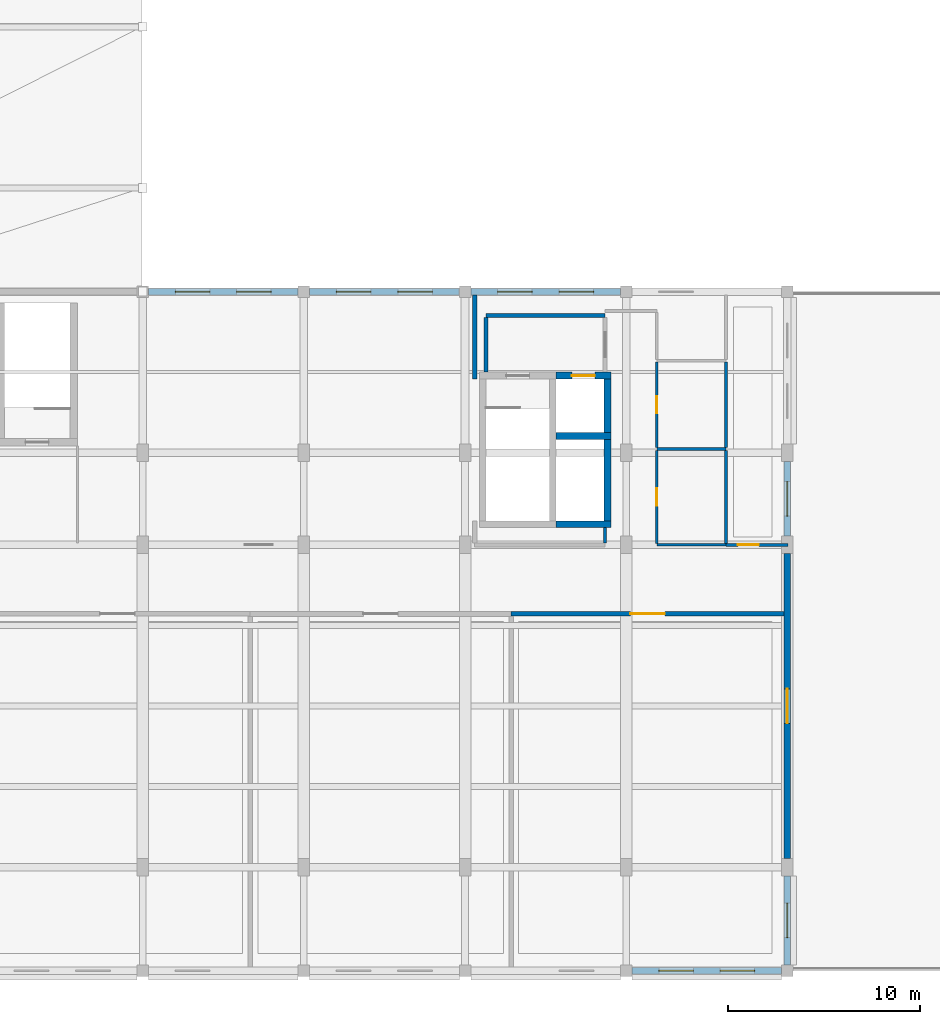
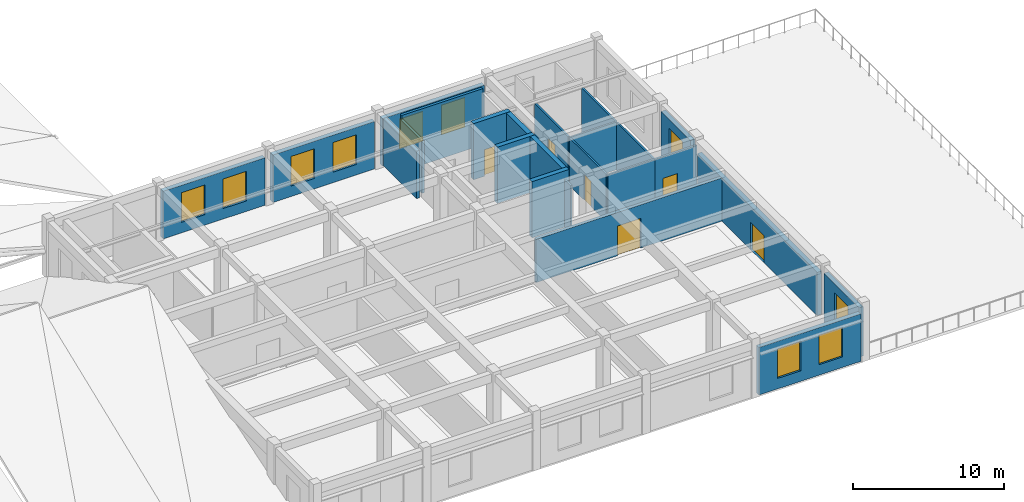
# One storey, part 69 of 76: 24 walls, 10 windows, 6 doors, 16 openings.
"""IFC4 building model written with IfcOpenShell, lengths in metres."""

from ifc_helpers import new_model, si_unit, direction, frame, frame_2d, origin, place, context, subcontext, project, spatial, rectangle, extrude, material, layer, layer_set, type_object, element, fill, save


model = new_model("IFC4")

# Units and contexts
model_context = context("Model", 3, precision=1e-05, world=origin(), true_north=direction((0.0, 1.0)))
body_context = subcontext(model_context, "Body", "Model", "MODEL_VIEW")
ifc_project = project(units=[si_unit("LENGTHUNIT", "METRE"), si_unit("AREAUNIT", "SQUARE_METRE"), si_unit("VOLUMEUNIT", "CUBIC_METRE"), si_unit("PLANEANGLEUNIT", "RADIAN"), si_unit("MASSUNIT", "GRAM", prefix="KILO")], contexts=[model_context])

# Site, building, storey
site_placement = place(None, origin())
site = spatial("IfcSite", under=ifc_project, at=site_placement, CompositionType="ELEMENT")
building_placement = place(site_placement, origin())
building = spatial("IfcBuilding", under=site, at=building_placement, Name="Krzemoval Escarpment Law Courts", CompositionType="ELEMENT")
storey_placement = place(building_placement, frame((0.0, 0.0, 20.39990234375)))
storey = spatial("IfcBuildingStorey", under=building, at=storey_placement, Name="L04", CompositionType="ELEMENT", Elevation=20.39990234375)

# Wall, openings, windows
ifc_material_1 = material(Name="Precast concrete C40/50", Category="concrete")
ifc_layer_1 = layer(ifc_material_1, 0.340087890625)
ifc_layer_set_1 = layer_set([ifc_layer_1], Name="Precast concrete C40/50")
wall_type_1 = type_object("IfcWallType", Name="WL-EXT-340", PredefinedType="SOLIDWALL", material=ifc_layer_set_1)
wall_1_placement = place(storey_placement, frame((42.300048828125, 35.39990234375, 0.0), z_axis=(0.0, 0.0, 1.0), x_axis=(1.0, 0.0, 0.0)))
wall_1 = element("IfcWall", 1, at=wall_1_placement, inside=storey, type_object=wall_type_1, Name="Exterior Wall EW-L04-0400", PredefinedType="SOLIDWALL", context=body_context, shape_type="SweptSolid", body=[
    extrude(rectangle(XDim=7.800048828125, YDim=0.340087890625, at=frame_2d((3.89990234375, 0.0))), origin(), (0.0, 0.0, 1.0), 3.85009765625),
])
opening_1_placement = place(wall_1_placement, frame((1.39990234375, 0.0, 0.85009765625)))
opening_1 = element("IfcOpeningElement", 2, at=opening_1_placement, cuts=wall_1, Name="Opening WN-L04-0473", PredefinedType="OPENING", context=body_context, shape_type="SweptSolid", body=[
    extrude(rectangle(XDim=1.800048828125, YDim=2.39990234375, at=frame_2d((0.89990234375, 1.199951171875))), frame((0.0, 0.18504, 0.0), z_axis=(0.0, -1.0, 0.0), x_axis=(1.0, 0.0, 0.0)), (0.0, 0.0, 1.0), 0.37009),
])
opening_2_placement = place(wall_1_placement, frame((4.60009765625, 0.0, 0.85009765625)))
opening_2 = element("IfcOpeningElement", 3, at=opening_2_placement, cuts=wall_1, Name="Opening WN-L04-0474", PredefinedType="OPENING", context=body_context, shape_type="SweptSolid", body=[
    extrude(rectangle(XDim=1.800048828125, YDim=2.39990234375, at=frame_2d((0.89990234375, 1.199951171875))), frame((0.0, 0.18504, 0.0), z_axis=(0.0, -1.0, 0.0), x_axis=(1.0, 0.0, 0.0)), (0.0, 0.0, 1.0), 0.37009),
])
ifc_material_2 = material(Name="Thermally Broken Aluminium Frame with Triple Low-E Acoustic Glass", Category="aluminium")
window_type = type_object("IfcWindowType", Name="WN-1800x2400", PartitioningType="SINGLE_PANEL", PredefinedType="WINDOW", material=ifc_material_2)
window_1_placement = place(opening_1_placement, origin())
window_1 = element("IfcWindow", 4, at=window_1_placement, inside=storey, type_object=window_type, Name="Facade Window WN-L04-0473", OverallHeight=2.39990234375, OverallWidth=1.800048828125, PartitioningType="SINGLE_PANEL", PredefinedType="WINDOW", context=body_context, shape_type="SweptSolid", body=[
    extrude(rectangle(XDim=1.800048828125, YDim=2.39990234375, at=frame_2d((0.89990234375, 1.199951171875))), frame((0.0, 0.030029296875, 0.0), z_axis=(0.0, -1.0, 0.0), x_axis=(1.0, 0.0, 0.0)), (0.0, 0.0, 1.0), 0.06005859375),
])
fill(opening_1, window_1)
window_2_placement = place(opening_2_placement, origin())
window_2 = element("IfcWindow", 5, at=window_2_placement, inside=storey, type_object=window_type, Name="Facade Window WN-L04-0474", OverallHeight=2.39990234375, OverallWidth=1.800048828125, PartitioningType="SINGLE_PANEL", PredefinedType="WINDOW", context=body_context, shape_type="SweptSolid", body=[
    extrude(rectangle(XDim=1.800048828125, YDim=2.39990234375, at=frame_2d((0.89990234375, 1.199951171875))), frame((0.0, 0.030029296875, 0.0), z_axis=(0.0, -1.0, 0.0), x_axis=(1.0, 0.0, 0.0)), (0.0, 0.0, 1.0), 0.06005859375),
])
fill(opening_2, window_2)

wall_2_placement = place(storey_placement, frame((50.699951171875, 35.39990234375, 0.0), z_axis=(0.0, 0.0, 1.0), x_axis=(1.0, 0.0, 0.0)))
wall_2 = element("IfcWall", 6, at=wall_2_placement, inside=storey, type_object=wall_type_1, Name="Exterior Wall EW-L04-0401", PredefinedType="SOLIDWALL", context=body_context, shape_type="SweptSolid", body=[
    extrude(rectangle(XDim=7.800048828125, YDim=0.340087890625, at=frame_2d((3.89990234375, 0.0))), origin(), (0.0, 0.0, 1.0), 3.85009765625),
])
opening_3_placement = place(wall_2_placement, frame((1.39990234375, 0.0, 0.85009765625)))
opening_3 = element("IfcOpeningElement", 7, at=opening_3_placement, cuts=wall_2, Name="Opening WN-L04-0475", PredefinedType="OPENING", context=body_context, shape_type="SweptSolid", body=[
    extrude(rectangle(XDim=1.800048828125, YDim=2.39990234375, at=frame_2d((0.89990234375, 1.199951171875))), frame((0.0, 0.18504, 0.0), z_axis=(0.0, -1.0, 0.0), x_axis=(1.0, 0.0, 0.0)), (0.0, 0.0, 1.0), 0.37009),
])
opening_4_placement = place(wall_2_placement, frame((4.60009765625, 0.0, 0.85009765625)))
opening_4 = element("IfcOpeningElement", 8, at=opening_4_placement, cuts=wall_2, Name="Opening WN-L04-0476", PredefinedType="OPENING", context=body_context, shape_type="SweptSolid", body=[
    extrude(rectangle(XDim=1.800048828125, YDim=2.39990234375, at=frame_2d((0.89990234375, 1.199951171875))), frame((0.0, 0.18504, 0.0), z_axis=(0.0, -1.0, 0.0), x_axis=(1.0, 0.0, 0.0)), (0.0, 0.0, 1.0), 0.37009),
])
window_3_placement = place(opening_3_placement, origin())
window_3 = element("IfcWindow", 9, at=window_3_placement, inside=storey, type_object=window_type, Name="Facade Window WN-L04-0475", OverallHeight=2.39990234375, OverallWidth=1.800048828125, PartitioningType="SINGLE_PANEL", PredefinedType="WINDOW", context=body_context, shape_type="SweptSolid", body=[
    extrude(rectangle(XDim=1.800048828125, YDim=2.39990234375, at=frame_2d((0.89990234375, 1.199951171875))), frame((0.0, 0.030029296875, 0.0), z_axis=(0.0, -1.0, 0.0), x_axis=(1.0, 0.0, 0.0)), (0.0, 0.0, 1.0), 0.06005859375),
])
fill(opening_3, window_3)
window_4_placement = place(opening_4_placement, origin())
window_4 = element("IfcWindow", 10, at=window_4_placement, inside=storey, type_object=window_type, Name="Facade Window WN-L04-0476", OverallHeight=2.39990234375, OverallWidth=1.800048828125, PartitioningType="SINGLE_PANEL", PredefinedType="WINDOW", context=body_context, shape_type="SweptSolid", body=[
    extrude(rectangle(XDim=1.800048828125, YDim=2.39990234375, at=frame_2d((0.89990234375, 1.199951171875))), frame((0.0, 0.030029296875, 0.0), z_axis=(0.0, -1.0, 0.0), x_axis=(1.0, 0.0, 0.0)), (0.0, 0.0, 1.0), 0.06005859375),
])
fill(opening_4, window_4)

wall_3_placement = place(storey_placement, frame((59.10009765625, 35.39990234375, 0.0), z_axis=(0.0, 0.0, 1.0), x_axis=(1.0, 0.0, 0.0)))
wall_3 = element("IfcWall", 11, at=wall_3_placement, inside=storey, type_object=wall_type_1, Name="Exterior Wall EW-L04-0402", PredefinedType="SOLIDWALL", context=body_context, shape_type="SweptSolid", body=[
    extrude(rectangle(XDim=7.7998046875, YDim=0.340087890625, at=frame_2d((3.89990234375, 0.0))), origin(), (0.0, 0.0, 1.0), 3.85009765625),
])
opening_5_placement = place(wall_3_placement, frame((1.39990234375, 0.0, 0.85009765625)))
opening_5 = element("IfcOpeningElement", 12, at=opening_5_placement, cuts=wall_3, Name="Opening WN-L04-0477", PredefinedType="OPENING", context=body_context, shape_type="SweptSolid", body=[
    extrude(rectangle(XDim=1.800048828125, YDim=2.39990234375, at=frame_2d((0.89990234375, 1.199951171875))), frame((0.0, 0.18504, 0.0), z_axis=(0.0, -1.0, 0.0), x_axis=(1.0, 0.0, 0.0)), (0.0, 0.0, 1.0), 0.37009),
])
opening_6_placement = place(wall_3_placement, frame((4.60009765625, 0.0, 0.85009765625)))
opening_6 = element("IfcOpeningElement", 13, at=opening_6_placement, cuts=wall_3, Name="Opening WN-L04-0478", PredefinedType="OPENING", context=body_context, shape_type="SweptSolid", body=[
    extrude(rectangle(XDim=1.800048828125, YDim=2.39990234375, at=frame_2d((0.89990234375, 1.199951171875))), frame((0.0, 0.18504, 0.0), z_axis=(0.0, -1.0, 0.0), x_axis=(1.0, 0.0, 0.0)), (0.0, 0.0, 1.0), 0.37009),
])
window_5_placement = place(opening_5_placement, origin())
window_5 = element("IfcWindow", 14, at=window_5_placement, inside=storey, type_object=window_type, Name="Facade Window WN-L04-0477", OverallHeight=2.39990234375, OverallWidth=1.800048828125, PartitioningType="SINGLE_PANEL", PredefinedType="WINDOW", context=body_context, shape_type="SweptSolid", body=[
    extrude(rectangle(XDim=1.800048828125, YDim=2.39990234375, at=frame_2d((0.89990234375, 1.199951171875))), frame((0.0, 0.030029296875, 0.0), z_axis=(0.0, -1.0, 0.0), x_axis=(1.0, 0.0, 0.0)), (0.0, 0.0, 1.0), 0.06005859375),
])
fill(opening_5, window_5)
window_6_placement = place(opening_6_placement, origin())
window_6 = element("IfcWindow", 15, at=window_6_placement, inside=storey, type_object=window_type, Name="Facade Window WN-L04-0478", OverallHeight=2.39990234375, OverallWidth=1.800048828125, PartitioningType="SINGLE_PANEL", PredefinedType="WINDOW", context=body_context, shape_type="SweptSolid", body=[
    extrude(rectangle(XDim=1.800048828125, YDim=2.39990234375, at=frame_2d((0.89990234375, 1.199951171875))), frame((0.0, 0.030029296875, 0.0), z_axis=(0.0, -1.0, 0.0), x_axis=(1.0, 0.0, 0.0)), (0.0, 0.0, 1.0), 0.06005859375),
])
fill(opening_6, window_6)

# Wall, opening, window
wall_4_placement = place(storey_placement, frame((75.60009765625, 26.550048828125, 0.0), z_axis=(0.0, 0.0, 1.0), x_axis=(0.0, -1.0, 0.0)))
wall_4 = element("IfcWall", 16, at=wall_4_placement, inside=storey, type_object=wall_type_1, Name="Exterior Wall EW-L04-0405", PredefinedType="SOLIDWALL", context=body_context, shape_type="SweptSolid", body=[
    extrude(rectangle(XDim=3.900146484375, YDim=0.340087890625, at=frame_2d((1.9501953125, 0.0))), origin(), (0.0, 0.0, 1.0), 4.0),
])
opening_7_placement = place(wall_4_placement, frame((1.050048828125, 0.0, 0.85009765625)))
opening_7 = element("IfcOpeningElement", 17, at=opening_7_placement, cuts=wall_4, Name="Opening WN-L04-0482", PredefinedType="OPENING", context=body_context, shape_type="SweptSolid", body=[
    extrude(rectangle(XDim=1.800048828125, YDim=2.39990234375, at=frame_2d((0.89990234375, 1.199951171875))), frame((0.0, 0.18504, 0.0), z_axis=(0.0, -1.0, 0.0), x_axis=(1.0, 0.0, 0.0)), (0.0, 0.0, 1.0), 0.37009),
])
window_7_placement = place(opening_7_placement, origin())
window_7 = element("IfcWindow", 18, at=window_7_placement, inside=storey, type_object=window_type, Name="Facade Window WN-L04-0482", OverallHeight=2.39990234375, OverallWidth=1.800048828125, PartitioningType="SINGLE_PANEL", PredefinedType="WINDOW", context=body_context, shape_type="SweptSolid", body=[
    extrude(rectangle(XDim=1.800048828125, YDim=2.39990234375, at=frame_2d((0.89990234375, 1.199951171875))), frame((0.0, 0.030029296875, 0.0), z_axis=(0.0, -1.0, 0.0), x_axis=(1.0, 0.0, 0.0)), (0.0, 0.0, 1.0), 0.06005859375),
])
fill(opening_7, window_7)

# Wall, opening, door
wall_5_placement = place(storey_placement, frame((75.60009765625, 21.75, 0.0), z_axis=(0.0, 0.0, 1.0), x_axis=(0.0, -1.0, 0.0)))
wall_5 = element("IfcWall", 19, at=wall_5_placement, inside=storey, type_object=wall_type_1, Name="Exterior Wall EW-L04-0406", PredefinedType="SOLIDWALL", context=body_context, shape_type="SweptSolid", body=[
    extrude(rectangle(XDim=15.89990234375, YDim=0.340087890625, at=frame_2d((7.949951171875, 0.0))), origin(), (0.0, 0.0, 1.0), 3.5),
])
opening_8_placement = place(wall_5_placement, frame((7.050048828125, 0.0, 0.0)))
opening_8 = element("IfcOpeningElement", 20, at=opening_8_placement, cuts=wall_5, Name="Opening TD-L04-21", PredefinedType="OPENING", context=body_context, shape_type="SweptSolid", body=[
    extrude(rectangle(XDim=1.800048828125, YDim=2.199951171875, at=frame_2d((0.89990234375, 1.10009765625))), frame((0.0, 0.18504, 0.0), z_axis=(0.0, -1.0, 0.0), x_axis=(1.0, 0.0, 0.0)), (0.0, 0.0, 1.0), 0.37009),
])
ifc_material_3 = material(Name="Thermally Broken Aluminium and Laminated Safety Glass", Category="aluminium")
door_type_1 = type_object("IfcDoorType", Name="DR-TER-1800x2200", OperationType="SINGLE_SWING_LEFT", PredefinedType="DOOR", material=ifc_material_3)
door_1_placement = place(opening_8_placement, origin())
door_1 = element("IfcDoor", 21, at=door_1_placement, inside=storey, type_object=door_type_1, Name="Terrace Access Door TD-L04-21", OperationType="DOUBLE_DOOR_SINGLE_SWING", OverallHeight=2.199951171875, OverallWidth=1.800048828125, PredefinedType="DOOR", context=body_context, shape_type="SweptSolid", body=[
    extrude(rectangle(XDim=1.800048828125, YDim=2.199951171875, at=frame_2d((0.89990234375, 1.10009765625))), frame((0.0, 0.02490234375, 0.0), z_axis=(0.0, -1.0, 0.0), x_axis=(1.0, 0.0, 0.0)), (0.0, 0.0, 1.0), 0.050048828125),
])
fill(opening_8, door_1)

# Wall, opening, window
wall_6_placement = place(storey_placement, frame((75.60009765625, 4.949951171875, 0.0), z_axis=(0.0, 0.0, 1.0), x_axis=(0.0, -1.0, 0.0)))
wall_6 = element("IfcWall", 22, at=wall_6_placement, inside=storey, type_object=wall_type_1, Name="Exterior Wall EW-L04-0407", PredefinedType="SOLIDWALL", context=body_context, shape_type="SweptSolid", body=[
    extrude(rectangle(XDim=4.64990234375, YDim=0.340087890625, at=frame_2d((2.324951171875, 0.0))), origin(), (0.0, 0.0, 1.0), 4.0),
])
opening_9_placement = place(wall_6_placement, frame((1.425048828125, 0.0, 0.85009765625)))
opening_9 = element("IfcOpeningElement", 23, at=opening_9_placement, cuts=wall_6, Name="Opening WN-L04-0483", PredefinedType="OPENING", context=body_context, shape_type="SweptSolid", body=[
    extrude(rectangle(XDim=1.800048828125, YDim=2.39990234375, at=frame_2d((0.89990234375, 1.199951171875))), frame((0.0, 0.18504, 0.0), z_axis=(0.0, -1.0, 0.0), x_axis=(1.0, 0.0, 0.0)), (0.0, 0.0, 1.0), 0.37009),
])
window_8_placement = place(opening_9_placement, origin())
window_8 = element("IfcWindow", 24, at=window_8_placement, inside=storey, type_object=window_type, Name="Facade Window WN-L04-0483", OverallHeight=2.39990234375, OverallWidth=1.800048828125, PartitioningType="SINGLE_PANEL", PredefinedType="WINDOW", context=body_context, shape_type="SweptSolid", body=[
    extrude(rectangle(XDim=1.800048828125, YDim=2.39990234375, at=frame_2d((0.89990234375, 1.199951171875))), frame((0.0, 0.030029296875, 0.0), z_axis=(0.0, -1.0, 0.0), x_axis=(1.0, 0.0, 0.0)), (0.0, 0.0, 1.0), 0.06005859375),
])
fill(opening_9, window_8)

# Wall, openings, windows
wall_7_placement = place(storey_placement, frame((75.300048828125, 0.0, 0.0), z_axis=(0.0, 0.0, 1.0), x_axis=(-1.0, 0.0, 0.0)))
wall_7 = element("IfcWall", 25, at=wall_7_placement, inside=storey, type_object=wall_type_1, Name="Exterior Wall EW-L04-0408", PredefinedType="SOLIDWALL", context=body_context, shape_type="SweptSolid", body=[
    extrude(rectangle(XDim=7.800048828125, YDim=0.340087890625, at=frame_2d((3.89990234375, 0.0))), origin(), (0.0, 0.0, 1.0), 3.85009765625),
])
opening_10_placement = place(wall_7_placement, frame((1.39990234375, 0.0, 0.85009765625)))
opening_10 = element("IfcOpeningElement", 26, at=opening_10_placement, cuts=wall_7, Name="Opening WN-L04-0484", PredefinedType="OPENING", context=body_context, shape_type="SweptSolid", body=[
    extrude(rectangle(XDim=1.800048828125, YDim=2.39990234375, at=frame_2d((0.89990234375, 1.199951171875))), frame((0.0, 0.18504, 0.0), z_axis=(0.0, -1.0, 0.0), x_axis=(1.0, 0.0, 0.0)), (0.0, 0.0, 1.0), 0.37009),
])
opening_11_placement = place(wall_7_placement, frame((4.60009765625, 0.0, 0.85009765625)))
opening_11 = element("IfcOpeningElement", 27, at=opening_11_placement, cuts=wall_7, Name="Opening WN-L04-0485", PredefinedType="OPENING", context=body_context, shape_type="SweptSolid", body=[
    extrude(rectangle(XDim=1.800048828125, YDim=2.39990234375, at=frame_2d((0.89990234375, 1.199951171875))), frame((0.0, 0.18504, 0.0), z_axis=(0.0, -1.0, 0.0), x_axis=(1.0, 0.0, 0.0)), (0.0, 0.0, 1.0), 0.37009),
])
window_9_placement = place(opening_10_placement, origin())
window_9 = element("IfcWindow", 28, at=window_9_placement, inside=storey, type_object=window_type, Name="Facade Window WN-L04-0484", OverallHeight=2.39990234375, OverallWidth=1.800048828125, PartitioningType="SINGLE_PANEL", PredefinedType="WINDOW", context=body_context, shape_type="SweptSolid", body=[
    extrude(rectangle(XDim=1.800048828125, YDim=2.39990234375, at=frame_2d((0.89990234375, 1.199951171875))), frame((0.0, 0.030029296875, 0.0), z_axis=(0.0, -1.0, 0.0), x_axis=(1.0, 0.0, 0.0)), (0.0, 0.0, 1.0), 0.06005859375),
])
fill(opening_10, window_9)
window_10_placement = place(opening_11_placement, origin())
window_10 = element("IfcWindow", 29, at=window_10_placement, inside=storey, type_object=window_type, Name="Facade Window WN-L04-0485", OverallHeight=2.39990234375, OverallWidth=1.800048828125, PartitioningType="SINGLE_PANEL", PredefinedType="WINDOW", context=body_context, shape_type="SweptSolid", body=[
    extrude(rectangle(XDim=1.800048828125, YDim=2.39990234375, at=frame_2d((0.89990234375, 1.199951171875))), frame((0.0, 0.030029296875, 0.0), z_axis=(0.0, -1.0, 0.0), x_axis=(1.0, 0.0, 0.0)), (0.0, 0.0, 1.0), 0.06005859375),
])
fill(opening_11, window_10)

# Walls
ifc_material_4 = material(Name="Sanitary Moisture-Resistant Partition", Category="gypsum")
ifc_layer_2 = layer(ifc_material_4, 0.139892578125)
ifc_layer_set_2 = layer_set([ifc_layer_2], Name="Sanitary Moisture-Resistant Partition")
wall_type_2 = type_object("IfcWallType", Name="WL-PRT-140", PredefinedType="PARTITIONING", material=ifc_layer_set_2)
for number, where, z_axis, x_axis, name in (
    (30, (68.800048828125, 22.199951171875, 0.0), (0.0, 0.0, 1.0), (1.0, 0.0, 0.0), "Interior Partition PW-L04-0593"),
    (31, (68.800048828125, 27.199951171875, 0.0), (0.0, 0.0, 1.0), (1.0, 0.0, 0.0), "Interior Partition PW-L04-0595"),
):
    element("IfcWall", number, at=place(storey_placement, frame(where, z_axis=z_axis, x_axis=x_axis)), inside=storey, type_object=wall_type_2, Name=name, PredefinedType="PARTITIONING", context=body_context, shape_type="SweptSolid", body=[
        extrude(rectangle(XDim=3.599853515625, YDim=0.139892578125, at=frame_2d((1.7998046875, 0.0))), origin(), (0.0, 0.0, 1.0), 3.85009765625),
    ])
wall_8_placement = place(storey_placement, frame((66.10009765625, 22.302001953125, 0.0), z_axis=(0.0, 0.0, 1.0), x_axis=(0.0, 1.0, 0.0)))
element("IfcWall", 32, at=wall_8_placement, inside=storey, type_object=wall_type_2, Name="Interior Partition PW-L04-0622", PredefinedType="PARTITIONING", context=body_context, shape_type="SweptSolid", body=[
    extrude(rectangle(XDim=0.7958984375, YDim=0.139892578125, at=frame_2d((0.39794921875, 0.0))), origin(), (0.0, 0.0, 1.0), 3.85009765625),
])

# Wall, opening, door
wall_9_placement = place(storey_placement, frame((68.800048828125, 22.27197265625, 0.0), z_axis=(0.0, 0.0, 1.0), x_axis=(0.0, 1.0, 0.0)))
wall_9 = element("IfcWall", 33, at=wall_9_placement, inside=storey, type_object=wall_type_2, Name="Interior Partition PW-L04-0624", PredefinedType="PARTITIONING", context=body_context, shape_type="SweptSolid", body=[
    extrude(rectangle(XDim=4.85595703125, YDim=0.139892578125, at=frame_2d((2.427978515625, 0.0))), origin(), (0.0, 0.0, 1.0), 3.85009765625),
])
opening_12_placement = place(wall_9_placement, frame((1.97802734375, 0.0, 0.0)))
opening_12 = element("IfcOpeningElement", 34, at=opening_12_placement, cuts=wall_9, Name="Opening D-L04-0208", PredefinedType="OPENING", context=body_context, shape_type="SweptSolid", body=[
    extrude(rectangle(XDim=0.89990234375, YDim=2.10009765625, at=frame_2d((0.449951171875, 1.050048828125))), frame((0.0, 0.08495, 0.0), z_axis=(0.0, -1.0, 0.0), x_axis=(1.0, 0.0, 0.0)), (0.0, 0.0, 1.0), 0.16989),
])
ifc_material_5 = material(Name="Engineered Solid-Core Oak Acoustic Timber", Category="wood")
door_type_2 = type_object("IfcDoorType", Name="DR-INT-900x2100", OperationType="SINGLE_SWING_LEFT", PredefinedType="DOOR", material=ifc_material_5)
door_2_placement = place(opening_12_placement, origin())
door_2 = element("IfcDoor", 35, at=door_2_placement, inside=storey, type_object=door_type_2, Name="Room Door D-L04-0208", OperationType="SINGLE_SWING_RIGHT", OverallHeight=2.10009765625, OverallWidth=0.89990234375, PredefinedType="DOOR", context=body_context, shape_type="SweptSolid", body=[
    extrude(rectangle(XDim=0.89990234375, YDim=2.10009765625, at=frame_2d((0.449951171875, 1.050048828125))), frame((0.0, 0.02490234375, 0.0), z_axis=(0.0, -1.0, 0.0), x_axis=(1.0, 0.0, 0.0)), (0.0, 0.0, 1.0), 0.050048828125),
])
fill(opening_12, door_2)

wall_10_placement = place(storey_placement, frame((68.800048828125, 27.27197265625, 0.0), z_axis=(0.0, 0.0, 1.0), x_axis=(0.0, 1.0, 0.0)))
wall_10 = element("IfcWall", 36, at=wall_10_placement, inside=storey, type_object=wall_type_2, Name="Interior Partition PW-L04-0625", PredefinedType="PARTITIONING", context=body_context, shape_type="SweptSolid", body=[
    extrude(rectangle(XDim=4.4560546875, YDim=0.139892578125, at=frame_2d((2.22802734375, 0.0))), origin(), (0.0, 0.0, 1.0), 3.85009765625),
])
opening_13_placement = place(wall_10_placement, frame((1.778076171875, 0.0, 0.0)))
opening_13 = element("IfcOpeningElement", 37, at=opening_13_placement, cuts=wall_10, Name="Opening D-L04-0209", PredefinedType="OPENING", context=body_context, shape_type="SweptSolid", body=[
    extrude(rectangle(XDim=0.89990234375, YDim=2.10009765625, at=frame_2d((0.449951171875, 1.050048828125))), frame((0.0, 0.08495, 0.0), z_axis=(0.0, -1.0, 0.0), x_axis=(1.0, 0.0, 0.0)), (0.0, 0.0, 1.0), 0.16989),
])
door_3_placement = place(opening_13_placement, origin())
door_3 = element("IfcDoor", 38, at=door_3_placement, inside=storey, type_object=door_type_2, Name="Room Door D-L04-0209", OperationType="SINGLE_SWING_LEFT", OverallHeight=2.10009765625, OverallWidth=0.89990234375, PredefinedType="DOOR", context=body_context, shape_type="SweptSolid", body=[
    extrude(rectangle(XDim=0.89990234375, YDim=2.10009765625, at=frame_2d((0.449951171875, 1.050048828125))), frame((0.0, 0.02490234375, 0.0), z_axis=(0.0, -1.0, 0.0), x_axis=(1.0, 0.0, 0.0)), (0.0, 0.0, 1.0), 0.050048828125),
])
fill(opening_13, door_3)

# Walls
wall_11_placement = place(storey_placement, frame((72.39990234375, 22.277099609375, 0.0), z_axis=(0.0, 0.0, 1.0), x_axis=(0.0, 1.0, 0.0)))
element("IfcWall", 39, at=wall_11_placement, inside=storey, type_object=wall_type_2, Name="Interior Partition PW-L04-0626", PredefinedType="PARTITIONING", context=body_context, shape_type="SweptSolid", body=[
    extrude(rectangle(XDim=4.850830078125, YDim=0.139892578125, at=frame_2d((2.42529296875, 0.0))), origin(), (0.0, 0.0, 1.0), 3.85009765625),
])
wall_12_placement = place(storey_placement, frame((72.39990234375, 27.27197265625, 0.0), z_axis=(0.0, 0.0, 1.0), x_axis=(0.0, 1.0, 0.0)))
element("IfcWall", 40, at=wall_12_placement, inside=storey, type_object=wall_type_2, Name="Interior Partition PW-L04-0627", PredefinedType="PARTITIONING", context=body_context, shape_type="SweptSolid", body=[
    extrude(rectangle(XDim=4.4560546875, YDim=0.139892578125, at=frame_2d((2.22802734375, 0.0))), origin(), (0.0, 0.0, 1.0), 3.85009765625),
])

# Wall, opening, door
ifc_material_6 = material(Name="Office Acoustic Partition Wall", Category="gypsum")
ifc_layer_3 = layer(ifc_material_6, 0.14990234375)
ifc_layer_set_3 = layer_set([ifc_layer_3], Name="Office Acoustic Partition Wall")
wall_type_3 = type_object("IfcWallType", Name="WL-PRT-150", PredefinedType="PARTITIONING", material=ifc_layer_set_3)
wall_13_placement = place(storey_placement, frame((72.39990234375, 22.199951171875, 0.0), z_axis=(0.0, 0.0, 1.0), x_axis=(1.0, 0.0, 0.0)))
wall_13 = element("IfcWall", 41, at=wall_13_placement, inside=storey, type_object=wall_type_3, Name="Interior Partition PW-L04-0594", PredefinedType="PARTITIONING", context=body_context, shape_type="SweptSolid", body=[
    extrude(rectangle(XDim=3.237060546875, YDim=0.14990234375, at=frame_2d((1.61865234375, 0.0))), origin(), (0.0, 0.0, 1.0), 3.85009765625),
])
opening_14_placement = place(wall_13_placement, frame((0.617919921875, 0.0, 0.0)))
opening_14 = element("IfcOpeningElement", 42, at=opening_14_placement, cuts=wall_13, Name="Opening D-L04-0210", PredefinedType="OPENING", context=body_context, shape_type="SweptSolid", body=[
    extrude(rectangle(XDim=1.10009765625, YDim=2.10009765625, at=frame_2d((0.550048828125, 1.050048828125))), frame((0.0, 0.08995, 0.0), z_axis=(0.0, -1.0, 0.0), x_axis=(1.0, 0.0, 0.0)), (0.0, 0.0, 1.0), 0.1799),
])
ifc_material_7 = material(Name="Engineered Solid-Core Oak Acoustic Timber", Category="wood")
door_type_3 = type_object("IfcDoorType", Name="DR-INT-1100x2100", OperationType="SINGLE_SWING_LEFT", PredefinedType="DOOR", material=ifc_material_7)
door_4_placement = place(opening_14_placement, origin())
door_4 = element("IfcDoor", 43, at=door_4_placement, inside=storey, type_object=door_type_3, Name="Room Door D-L04-0210", OperationType="SINGLE_SWING_RIGHT", OverallHeight=2.10009765625, OverallWidth=1.10009765625, PredefinedType="DOOR", context=body_context, shape_type="SweptSolid", body=[
    extrude(rectangle(XDim=1.10009765625, YDim=2.10009765625, at=frame_2d((0.550048828125, 1.050048828125))), frame((0.0, 0.02490234375, 0.0), z_axis=(0.0, -1.0, 0.0), x_axis=(1.0, 0.0, 0.0)), (0.0, 0.0, 1.0), 0.050048828125),
])
fill(opening_14, door_4)

# Walls
ifc_material_8 = material(Name="Fire-Rated Corridor Partition Wall", Category="gypsum")
ifc_layer_4 = layer(ifc_material_8, 0.199951171875)
ifc_layer_set_4 = layer_set([ifc_layer_4], Name="Fire-Rated Corridor Partition Wall")
wall_type_4 = type_object("IfcWallType", Name="WL-PRT-200", PredefinedType="PARTITIONING", material=ifc_layer_set_4)
wall_14_placement = place(storey_placement, frame((59.89990234375, 34.14990234375, 0.0), z_axis=(0.0, 0.0, 1.0), x_axis=(1.0, 0.0, 0.0)))
element("IfcWall", 44, at=wall_14_placement, inside=storey, type_object=wall_type_4, Name="Interior Partition PW-L04-0597", PredefinedType="PARTITIONING", context=body_context, shape_type="SweptSolid", body=[
    extrude(rectangle(XDim=6.2001953125, YDim=0.199951171875, at=frame_2d((3.10009765625, 0.0))), origin(), (0.0, 0.0, 1.0), 4.550048828125),
])
wall_15_placement = place(storey_placement, frame((59.89990234375, 31.201904296875, 0.0), z_axis=(0.0, 0.0, 1.0), x_axis=(0.0, 1.0, 0.0)))
element("IfcWall", 45, at=wall_15_placement, inside=storey, type_object=wall_type_4, Name="Interior Partition PW-L04-0619", PredefinedType="PARTITIONING", context=body_context, shape_type="SweptSolid", body=[
    extrude(rectangle(XDim=2.84619140625, YDim=0.199951171875, at=frame_2d((1.423095703125, 0.0))), origin(), (0.0, 0.0, 1.0), 4.25),
])

# Wall, opening, door
ifc_material_9 = material(Name="Acoustic Courtroom Partition Assembly", Category="gypsum")
ifc_layer_5 = layer(ifc_material_9, 0.239990234375)
ifc_layer_set_5 = layer_set([ifc_layer_5], Name="Acoustic Courtroom Partition Assembly")
wall_type_5 = type_object("IfcWallType", Name="WL-PRT-240", PredefinedType="PARTITIONING", material=ifc_layer_set_5)
wall_16_placement = place(storey_placement, frame((61.199951171875, 18.60009765625, 0.0), z_axis=(0.0, 0.0, 1.0), x_axis=(1.0, 0.0, 0.0)))
wall_16 = element("IfcWall", 46, at=wall_16_placement, inside=storey, type_object=wall_type_5, Name="Interior Partition PW-L04-0590", PredefinedType="PARTITIONING", context=body_context, shape_type="SweptSolid", body=[
    extrude(rectangle(XDim=14.22802734375, YDim=0.239990234375, at=frame_2d((7.114013671875, 0.0))), origin(), (0.0, 0.0, 1.0), 3.5),
])
opening_15_placement = place(wall_16_placement, frame((6.214111328125, 0.0, 0.0)))
opening_15 = element("IfcOpeningElement", 47, at=opening_15_placement, cuts=wall_16, Name="Opening D-L04-0206", PredefinedType="OPENING", context=body_context, shape_type="SweptSolid", body=[
    extrude(rectangle(XDim=1.800048828125, YDim=2.39990234375, at=frame_2d((0.89990234375, 1.199951171875))), frame((0.0, 0.135, 0.0), z_axis=(0.0, -1.0, 0.0), x_axis=(1.0, 0.0, 0.0)), (0.0, 0.0, 1.0), 0.26999),
])
ifc_material_10 = material(Name="Engineered Solid-Core Oak Acoustic Timber", Category="wood")
door_type_4 = type_object("IfcDoorType", Name="DR-CRT-1800x2400", OperationType="SINGLE_SWING_LEFT", PredefinedType="DOOR", material=ifc_material_10)
door_5_placement = place(opening_15_placement, origin())
door_5 = element("IfcDoor", 48, at=door_5_placement, inside=storey, type_object=door_type_4, Name="Room Door D-L04-0206", OperationType="SINGLE_SWING_LEFT", OverallHeight=2.39990234375, OverallWidth=1.800048828125, PredefinedType="DOOR", context=body_context, shape_type="SweptSolid", body=[
    extrude(rectangle(XDim=1.800048828125, YDim=2.39990234375, at=frame_2d((0.89990234375, 1.199951171875))), frame((0.0, 0.02490234375, 0.0), z_axis=(0.0, -1.0, 0.0), x_axis=(1.0, 0.0, 0.0)), (0.0, 0.0, 1.0), 0.050048828125),
])
fill(opening_15, door_5)

# Walls
wall_17_placement = place(storey_placement, frame((59.300048828125, 30.847900390625, 0.0), z_axis=(0.0, 0.0, 1.0), x_axis=(0.0, 1.0, 0.0)))
element("IfcWall", 49, at=wall_17_placement, inside=storey, type_object=wall_type_5, Name="Interior Partition PW-L04-0618", PredefinedType="PARTITIONING", context=body_context, shape_type="SweptSolid", body=[
    extrude(rectangle(XDim=4.380126953125, YDim=0.239990234375, at=frame_2d((2.18994140625, 0.0))), origin(), (0.0, 0.0, 1.0), 3.85009765625),
])
ifc_material_11 = material(Name="Concrete C40/50", Category="concrete")
ifc_layer_6 = layer(ifc_material_11, 0.35009765625)
ifc_layer_set_6 = layer_set([ifc_layer_6], Name="Concrete C40/50")
wall_type_6 = type_object("IfcWallType", Name="WL-SHW-350", PredefinedType="SHEAR", material=ifc_layer_set_6)
wall_18_placement = place(storey_placement, frame((63.552001953125, 27.875, 0.0), z_axis=(0.0, 0.0, 1.0), x_axis=(1.0, 0.0, 0.0)))
element("IfcWall", 50, at=wall_18_placement, inside=storey, type_object=wall_type_6, Name="Lift Shaft Shear Wall SW-L04-0500", PredefinedType="SHEAR", context=body_context, shape_type="SweptSolid", body=[
    extrude(rectangle(XDim=2.847900390625, YDim=0.35009765625, at=frame_2d((1.423828125, 0.0))), origin(), (0.0, 0.0, 1.0), 4.550048828125),
])

# Wall, opening, door
wall_19_placement = place(storey_placement, frame((63.550048828125, 31.02490234375, 0.0), z_axis=(0.0, 0.0, 1.0), x_axis=(1.0, 0.0, 0.0)))
wall_19 = element("IfcWall", 51, at=wall_19_placement, inside=storey, type_object=wall_type_6, Name="Lift Shaft Shear Wall SW-L04-0501", PredefinedType="SHEAR", context=body_context, shape_type="SweptSolid", body=[
    extrude(rectangle(XDim=2.849853515625, YDim=0.35009765625, at=frame_2d((1.4248046875, 0.0))), origin(), (0.0, 0.0, 1.0), 4.550048828125),
])
opening_16_placement = place(wall_19_placement, frame((0.824951171875, 0.0, 0.0)))
opening_16 = element("IfcOpeningElement", 52, at=opening_16_placement, cuts=wall_19, Name="Opening LD-PL3-L04", PredefinedType="OPENING", context=body_context, shape_type="SweptSolid", body=[
    extrude(rectangle(XDim=1.199951171875, YDim=2.14990234375, at=frame_2d((0.60009765625, 1.074951171875))), frame((0.0, 0.19005, 0.0), z_axis=(0.0, -1.0, 0.0), x_axis=(1.0, 0.0, 0.0)), (0.0, 0.0, 1.0), 0.3801),
])
ifc_material_12 = material(Name="Engineered Solid-Core Oak Acoustic Timber", Category="wood")
door_type_5 = type_object("IfcDoorType", Name="DR-LFT-1200x2150", OperationType="SINGLE_SWING_LEFT", PredefinedType="DOOR", material=ifc_material_12)
door_6_placement = place(opening_16_placement, origin())
door_6 = element("IfcDoor", 53, at=door_6_placement, inside=storey, type_object=door_type_5, Name="Lift Landing Door LD-PL3-L04", OperationType="DOUBLE_DOOR_SLIDING", OverallHeight=2.14990234375, OverallWidth=1.199951171875, PredefinedType="DOOR", context=body_context, shape_type="SweptSolid", body=[
    extrude(rectangle(XDim=1.199951171875, YDim=2.14990234375, at=frame_2d((0.60009765625, 1.074951171875))), frame((0.0, 0.02490234375, 0.0), z_axis=(0.0, -1.0, 0.0), x_axis=(1.0, 0.0, 0.0)), (0.0, 0.0, 1.0), 0.050048828125),
])
fill(opening_16, door_6)

# Walls
wall_20_placement = place(storey_placement, frame((66.22509765625, 28.052001953125, 0.0), z_axis=(0.0, 0.0, 1.0), x_axis=(0.0, 1.0, 0.0)))
element("IfcWall", 54, at=wall_20_placement, inside=storey, type_object=wall_type_6, Name="Lift Shaft Shear Wall SW-L04-0502", PredefinedType="SHEAR", context=body_context, shape_type="SweptSolid", body=[
    extrude(rectangle(XDim=2.7958984375, YDim=0.35009765625, at=frame_2d((1.39794921875, 0.0))), origin(), (0.0, 0.0, 1.0), 4.550048828125),
])
wall_21_placement = place(storey_placement, frame((63.550048828125, 23.27490234375, 0.0), z_axis=(0.0, 0.0, 1.0), x_axis=(1.0, 0.0, 0.0)))
element("IfcWall", 55, at=wall_21_placement, inside=storey, type_object=wall_type_6, Name="Riser Shaft Wall SW-L04-0503", PredefinedType="SHEAR", context=body_context, shape_type="SweptSolid", body=[
    extrude(rectangle(XDim=2.849853515625, YDim=0.35009765625, at=frame_2d((1.4248046875, 0.0))), origin(), (0.0, 0.0, 1.0), 4.550048828125),
])
wall_22_placement = place(storey_placement, frame((66.22509765625, 23.451904296875, 0.0), z_axis=(0.0, 0.0, 1.0), x_axis=(0.0, 1.0, 0.0)))
element("IfcWall", 56, at=wall_22_placement, inside=storey, type_object=wall_type_6, Name="Riser Shaft Wall SW-L04-0504", PredefinedType="SHEAR", context=body_context, shape_type="SweptSolid", body=[
    extrude(rectangle(XDim=4.60498046875, YDim=0.35009765625, at=frame_2d((2.302490234375, 0.0))), origin(), (0.0, 0.0, 1.0), 4.550048828125),
])

save(model, "model.ifc")
